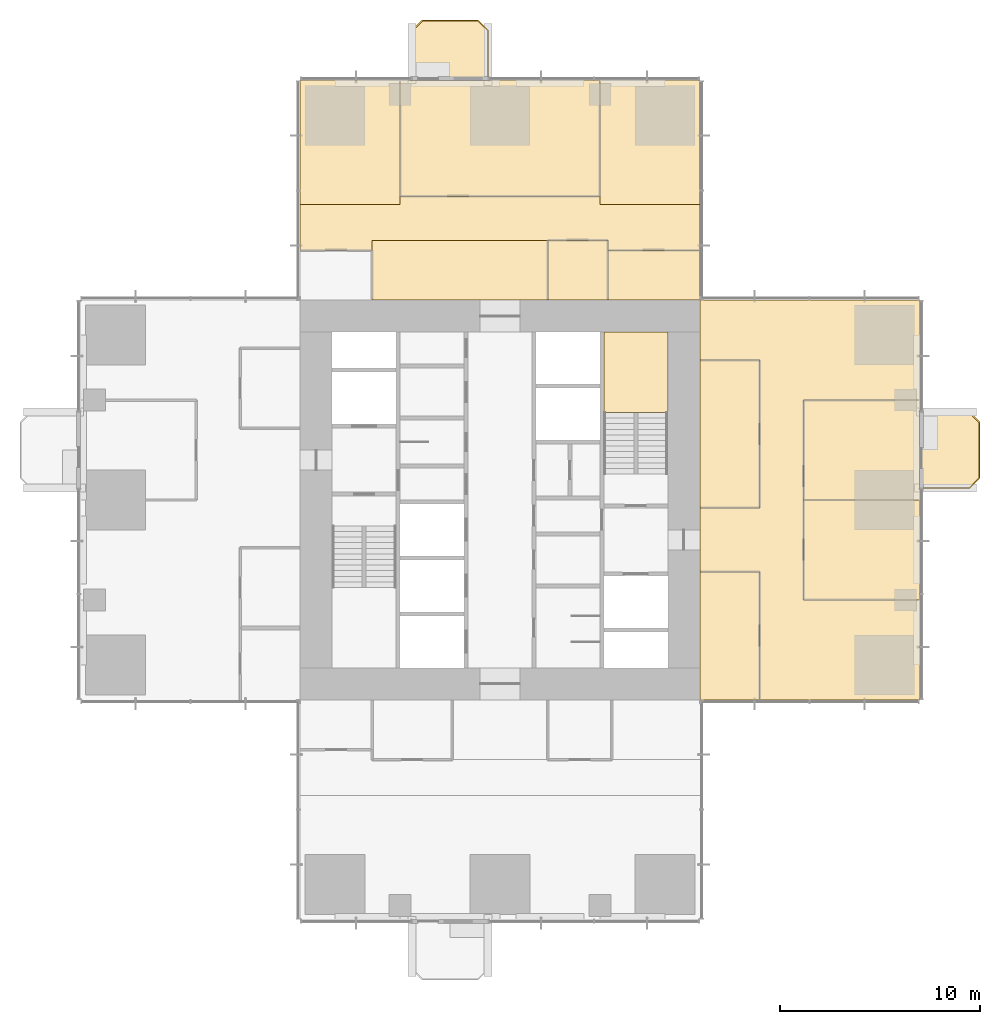
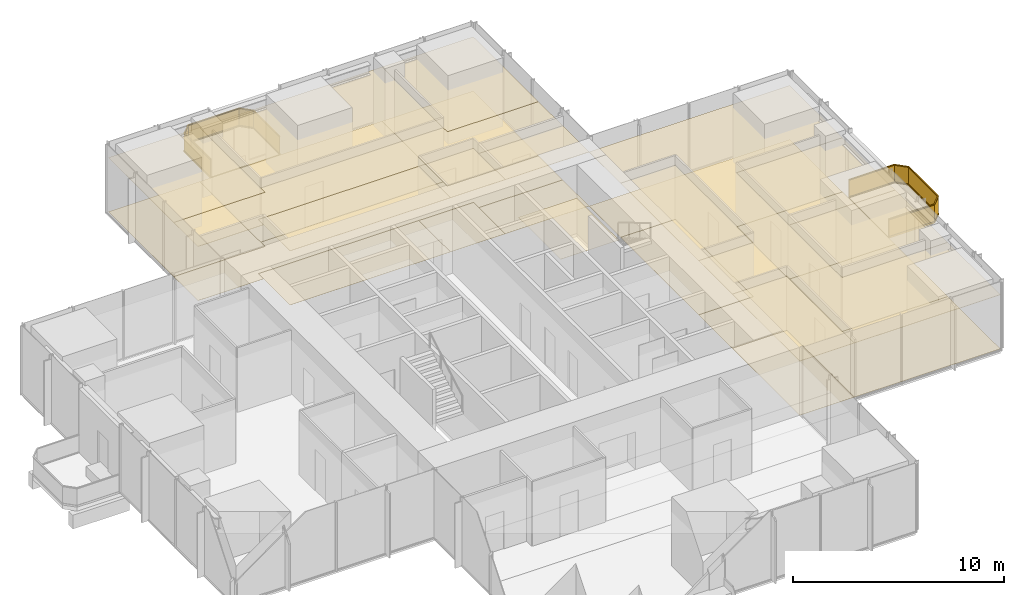
# One storey, part 12 of 13: 27 coverings, 2 railings.
"""IFC4 building model written with IfcOpenShell, lengths in metres."""

from ifc_helpers import new_model, si_unit, direction, frame, origin, origin_2d, place, context, subcontext, project, spatial, polyline, rectangle, outline, extrude, material, layer, layer_set, type_object, element, save


model = new_model("IFC4")

# Units and contexts
model_context = context("Model", 3, precision=1e-05, world=origin(), true_north=direction((0.0, 1.0)))
body_context = subcontext(model_context, "Body", "Model", "MODEL_VIEW")
ifc_project = project(units=[si_unit("LENGTHUNIT", "METRE"), si_unit("AREAUNIT", "SQUARE_METRE"), si_unit("VOLUMEUNIT", "CUBIC_METRE"), si_unit("PLANEANGLEUNIT", "RADIAN"), si_unit("MASSUNIT", "GRAM", prefix="KILO")], contexts=[model_context])

# Site, building, storey
site_placement = place(None, origin())
site = spatial("IfcSite", under=ifc_project, at=site_placement, CompositionType="ELEMENT")
building_placement = place(site_placement, origin())
building = spatial("IfcBuilding", under=site, at=building_placement, Name="Svetlomir Tower", CompositionType="ELEMENT")
storey_placement = place(building_placement, frame((0.0, 0.0, 140.5)))
storey = spatial("IfcBuildingStorey", under=building, at=storey_placement, Name="L33", CompositionType="ELEMENT", Elevation=140.5)

# Railings
ifc_material_1 = material(Name="Bronze anodised aluminium and laminated glass", Category="aluminium")
railing_type = type_object("IfcRailingType", Name="BALCONY GUARD GR1 1100", PredefinedType="GUARDRAIL", material=ifc_material_1)
railing_1_placement = place(storey_placement, frame((42.0, 21.60009765625, 0.0)))
element("IfcRailing", 1, at=railing_1_placement, inside=storey, type_object=railing_type, Name="Balcony guard E L33", PredefinedType="GUARDRAIL", context=body_context, shape_type="SweptSolid", body=[
    extrude(rectangle(XDim=0.06005859375, YDim=0.10009765625, at=origin_2d()), frame((0.0, 0.0, 0.050048828125), z_axis=(1.0, 0.0, 0.0), x_axis=(0.0, 1.0, 0.0)), (0.0, 0.0, 1.0), 2.5),
    extrude(rectangle(XDim=0.021484375, YDim=0.960205078125, at=origin_2d()), frame((0.0, 0.0, 0.580078125), z_axis=(1.0, 0.0, 0.0), x_axis=(0.0, 1.0, 0.0)), (0.0, 0.0, 1.0), 2.5),
    extrude(rectangle(XDim=0.06005859375, YDim=0.0400390625, at=origin_2d()), frame((0.0, 0.0, 1.080078125), z_axis=(1.0, 0.0, 0.0), x_axis=(0.0, 1.0, 0.0)), (0.0, 0.0, 1.0), 2.5),
    extrude(rectangle(XDim=0.06005859375, YDim=0.10009765625, at=origin_2d()), frame((2.5, 0.0, 0.050048828125), z_axis=(0.707106781187, 0.707106781187, 0.0), x_axis=(-0.707106781187, 0.707106781187, 0.0)), (0.0, 0.0, 1.0), 0.70703125),
    extrude(rectangle(XDim=0.021484375, YDim=0.960205078125, at=origin_2d()), frame((2.5, 0.0, 0.580078125), z_axis=(0.707106781187, 0.707106781187, 0.0), x_axis=(-0.707106781187, 0.707106781187, 0.0)), (0.0, 0.0, 1.0), 0.70703125),
    extrude(rectangle(XDim=0.06005859375, YDim=0.0400390625, at=origin_2d()), frame((2.5, 0.0, 1.080078125), z_axis=(0.707106781187, 0.707106781187, 0.0), x_axis=(-0.707106781187, 0.707106781187, 0.0)), (0.0, 0.0, 1.0), 0.70703125),
    extrude(rectangle(XDim=0.06005859375, YDim=0.10009765625, at=origin_2d()), frame((3.0, 0.5, 0.050048828125), z_axis=(0.0, 1.0, 0.0), x_axis=(-1.0, 0.0, 0.0)), (0.0, 0.0, 1.0), 2.7998046875),
    extrude(rectangle(XDim=0.021484375, YDim=0.960205078125, at=origin_2d()), frame((3.0, 0.5, 0.580078125), z_axis=(0.0, 1.0, 0.0), x_axis=(-1.0, 0.0, 0.0)), (0.0, 0.0, 1.0), 2.7998046875),
    extrude(rectangle(XDim=0.06005859375, YDim=0.0400390625, at=origin_2d()), frame((3.0, 0.5, 1.080078125), z_axis=(0.0, 1.0, 0.0), x_axis=(-1.0, 0.0, 0.0)), (0.0, 0.0, 1.0), 2.7998046875),
    extrude(rectangle(XDim=0.06005859375, YDim=0.10009765625, at=origin_2d()), frame((3.0, 3.2998046875, 0.050048828125), z_axis=(-0.707106781187, 0.707106781187, 0.0), x_axis=(-0.707106781187, -0.707106781187, 0.0)), (0.0, 0.0, 1.0), 0.70703125),
    extrude(rectangle(XDim=0.021484375, YDim=0.960205078125, at=origin_2d()), frame((3.0, 3.2998046875, 0.580078125), z_axis=(-0.707106781187, 0.707106781187, 0.0), x_axis=(-0.707106781187, -0.707106781187, 0.0)), (0.0, 0.0, 1.0), 0.70703125),
    extrude(rectangle(XDim=0.06005859375, YDim=0.0400390625, at=origin_2d()), frame((3.0, 3.2998046875, 1.080078125), z_axis=(-0.707106781187, 0.707106781187, 0.0), x_axis=(-0.707106781187, -0.707106781187, 0.0)), (0.0, 0.0, 1.0), 0.70703125),
    extrude(rectangle(XDim=0.06005859375, YDim=0.10009765625, at=origin_2d()), frame((2.5, 3.7998046875, 0.050048828125), z_axis=(-1.0, 0.0, 0.0), x_axis=(0.0, -1.0, 0.0)), (0.0, 0.0, 1.0), 2.5),
    extrude(rectangle(XDim=0.021484375, YDim=0.960205078125, at=origin_2d()), frame((2.5, 3.7998046875, 0.580078125), z_axis=(-1.0, 0.0, 0.0), x_axis=(0.0, -1.0, 0.0)), (0.0, 0.0, 1.0), 2.5),
    extrude(rectangle(XDim=0.06005859375, YDim=0.0400390625, at=origin_2d()), frame((2.5, 3.7998046875, 1.080078125), z_axis=(-1.0, 0.0, 0.0), x_axis=(0.0, -1.0, 0.0)), (0.0, 0.0, 1.0), 2.5),
])
railing_2_placement = place(storey_placement, frame((20.39990234375, 42.0, 0.0)))
element("IfcRailing", 2, at=railing_2_placement, inside=storey, type_object=railing_type, Name="Balcony guard N L33", PredefinedType="GUARDRAIL", context=body_context, shape_type="SweptSolid", body=[
    extrude(rectangle(XDim=0.06005859375, YDim=0.10009765625, at=origin_2d()), frame((0.0, 0.0, 0.050048828125), z_axis=(0.0, 1.0, 0.0), x_axis=(-1.0, 0.0, 0.0)), (0.0, 0.0, 1.0), 2.5),
    extrude(rectangle(XDim=0.021484375, YDim=0.960205078125, at=origin_2d()), frame((0.0, 0.0, 0.580078125), z_axis=(0.0, 1.0, 0.0), x_axis=(-1.0, 0.0, 0.0)), (0.0, 0.0, 1.0), 2.5),
    extrude(rectangle(XDim=0.06005859375, YDim=0.0400390625, at=origin_2d()), frame((0.0, 0.0, 1.080078125), z_axis=(0.0, 1.0, 0.0), x_axis=(-1.0, 0.0, 0.0)), (0.0, 0.0, 1.0), 2.5),
    extrude(rectangle(XDim=0.06005859375, YDim=0.10009765625, at=origin_2d()), frame((0.0, 2.5, 0.050048828125), z_axis=(-0.707106781187, 0.707106781187, 0.0), x_axis=(-0.707106781187, -0.707106781187, 0.0)), (0.0, 0.0, 1.0), 0.70703125),
    extrude(rectangle(XDim=0.021484375, YDim=0.960205078125, at=origin_2d()), frame((0.0, 2.5, 0.580078125), z_axis=(-0.707106781187, 0.707106781187, 0.0), x_axis=(-0.707106781187, -0.707106781187, 0.0)), (0.0, 0.0, 1.0), 0.70703125),
    extrude(rectangle(XDim=0.06005859375, YDim=0.0400390625, at=origin_2d()), frame((0.0, 2.5, 1.080078125), z_axis=(-0.707106781187, 0.707106781187, 0.0), x_axis=(-0.707106781187, -0.707106781187, 0.0)), (0.0, 0.0, 1.0), 0.70703125),
    extrude(rectangle(XDim=0.06005859375, YDim=0.10009765625, at=origin_2d()), frame((-0.5, 3.0, 0.050048828125), z_axis=(-1.0, 0.0, 0.0), x_axis=(0.0, -1.0, 0.0)), (0.0, 0.0, 1.0), 2.7998046875),
    extrude(rectangle(XDim=0.021484375, YDim=0.960205078125, at=origin_2d()), frame((-0.5, 3.0, 0.580078125), z_axis=(-1.0, 0.0, 0.0), x_axis=(0.0, -1.0, 0.0)), (0.0, 0.0, 1.0), 2.7998046875),
    extrude(rectangle(XDim=0.06005859375, YDim=0.0400390625, at=origin_2d()), frame((-0.5, 3.0, 1.080078125), z_axis=(-1.0, 0.0, 0.0), x_axis=(0.0, -1.0, 0.0)), (0.0, 0.0, 1.0), 2.7998046875),
    extrude(rectangle(XDim=0.06005859375, YDim=0.10009765625, at=origin_2d()), frame((-3.2998046875, 3.0, 0.050048828125), z_axis=(-0.707106781187, -0.707106781187, 0.0), x_axis=(0.707106781187, -0.707106781187, 0.0)), (0.0, 0.0, 1.0), 0.70703125),
    extrude(rectangle(XDim=0.021484375, YDim=0.960205078125, at=origin_2d()), frame((-3.2998046875, 3.0, 0.580078125), z_axis=(-0.707106781187, -0.707106781187, 0.0), x_axis=(0.707106781187, -0.707106781187, 0.0)), (0.0, 0.0, 1.0), 0.70703125),
    extrude(rectangle(XDim=0.06005859375, YDim=0.0400390625, at=origin_2d()), frame((-3.2998046875, 3.0, 1.080078125), z_axis=(-0.707106781187, -0.707106781187, 0.0), x_axis=(0.707106781187, -0.707106781187, 0.0)), (0.0, 0.0, 1.0), 0.70703125),
    extrude(rectangle(XDim=0.06005859375, YDim=0.10009765625, at=origin_2d()), frame((-3.7998046875, 2.5, 0.050048828125), z_axis=(0.0, -1.0, 0.0), x_axis=(1.0, 0.0, 0.0)), (0.0, 0.0, 1.0), 2.5),
    extrude(rectangle(XDim=0.021484375, YDim=0.960205078125, at=origin_2d()), frame((-3.7998046875, 2.5, 0.580078125), z_axis=(0.0, -1.0, 0.0), x_axis=(1.0, 0.0, 0.0)), (0.0, 0.0, 1.0), 2.5),
    extrude(rectangle(XDim=0.06005859375, YDim=0.0400390625, at=origin_2d()), frame((-3.7998046875, 2.5, 1.080078125), z_axis=(0.0, -1.0, 0.0), x_axis=(1.0, 0.0, 0.0)), (0.0, 0.0, 1.0), 2.5),
])

# Coverings
ifc_material_2 = material(Name="Granite paving slabs on pedestals", Category="masonry")
ifc_layer_1 = layer(ifc_material_2, 0.0400390625)
ifc_layer_set_1 = layer_set([ifc_layer_1], Name="Granite paving slabs on pedestals")
covering_type_1 = type_object("IfcCoveringType", Name="BALCONY PAVING 40", PredefinedType="USERDEFINED", material=ifc_layer_set_1)
covering_1_placement = place(storey_placement, origin())
element("IfcCovering", 3, at=covering_1_placement, inside=storey, type_object=covering_type_1, Name="Balcony paving E L33", ObjectType="BALCONY PAVING", PredefinedType="USERDEFINED", context=body_context, shape_type="SweptSolid", body=[
    extrude(outline(polyline([(42.0, 21.60009765625), (44.5, 21.60009765625), (45.0, 22.10009765625), (45.0, 24.89990234375), (44.5, 25.39990234375), (42.0, 25.39990234375), (42.0, 21.60009765625)])), origin(), (0.0, 0.0, 1.0), 0.0400390625),
])
covering_2_placement = place(storey_placement, origin())
element("IfcCovering", 4, at=covering_2_placement, inside=storey, type_object=covering_type_1, Name="Balcony paving N L33", ObjectType="BALCONY PAVING", PredefinedType="USERDEFINED", context=body_context, shape_type="SweptSolid", body=[
    extrude(outline(polyline([(16.60009765625, 42.0), (20.39990234375, 42.0), (20.39990234375, 44.5), (19.89990234375, 45.0), (17.10009765625, 45.0), (16.60009765625, 44.5), (16.60009765625, 42.0)])), origin(), (0.0, 0.0, 1.0), 0.0400390625),
])
ifc_material_3 = material(Name="Carpet tile", Category="textile")
ifc_layer_2 = layer(ifc_material_3, 0.010009765625)
ifc_layer_set_2 = layer_set([ifc_layer_2], Name="Carpet tile")
covering_type_2 = type_object("IfcCoveringType", Name="CARPET TILE FLOOR 10", PredefinedType="FLOORING", material=ifc_layer_set_2)
covering_3_placement = place(storey_placement, origin())
element("IfcCovering", 5, at=covering_3_placement, inside=storey, type_object=covering_type_2, Name="Floor finish L33-18", PredefinedType="FLOORING", context=body_context, shape_type="SweptSolid", body=[
    extrude(outline(polyline([(31.0, 11.0), (34.0, 11.0), (34.0, 17.39990234375), (31.0, 17.39990234375), (31.0, 11.0)])), origin(), (0.0, 0.0, 1.0), 0.010009765625),
])
covering_4_placement = place(storey_placement, origin())
element("IfcCovering", 6, at=covering_4_placement, inside=storey, type_object=covering_type_2, Name="Floor finish L33-19", PredefinedType="FLOORING", context=body_context, shape_type="SweptSolid", body=[
    extrude(outline(polyline([(31.0, 20.60009765625), (34.0, 20.60009765625), (34.0, 28.0), (31.0, 28.0), (31.0, 20.60009765625)])), origin(), (0.0, 0.0, 1.0), 0.010009765625),
])
covering_5_placement = place(storey_placement, origin())
element("IfcCovering", 7, at=covering_5_placement, inside=storey, type_object=covering_type_2, Name="Floor finish L33-20", PredefinedType="FLOORING", context=body_context, shape_type="SweptSolid", body=[
    extrude(outline(polyline([(36.199951171875, 16.0), (42.0, 16.0), (42.0, 21.0), (36.199951171875, 21.0), (36.199951171875, 16.0)])), origin(), (0.0, 0.0, 1.0), 0.010009765625),
])
covering_6_placement = place(storey_placement, origin())
element("IfcCovering", 8, at=covering_6_placement, inside=storey, type_object=covering_type_2, Name="Floor finish L33-21", PredefinedType="FLOORING", context=body_context, shape_type="SweptSolid", body=[
    extrude(outline(polyline([(36.199951171875, 21.0), (42.0, 21.0), (42.0, 26.0), (36.199951171875, 26.0), (36.199951171875, 21.0)])), origin(), (0.0, 0.0, 1.0), 0.010009765625),
])
covering_7_placement = place(storey_placement, origin())
element("IfcCovering", 9, at=covering_7_placement, inside=storey, type_object=covering_type_2, Name="Floor finish L33-23", PredefinedType="FLOORING", context=body_context, shape_type="SweptSolid", body=[
    extrude(outline(polyline([(23.39990234375, 31.0), (26.39990234375, 31.0), (26.39990234375, 34.0), (23.39990234375, 34.0), (23.39990234375, 31.0)])), origin(), (0.0, 0.0, 1.0), 0.010009765625),
])
covering_8_placement = place(storey_placement, origin())
element("IfcCovering", 10, at=covering_8_placement, inside=storey, type_object=covering_type_2, Name="Floor finish L33-24", PredefinedType="FLOORING", context=body_context, shape_type="SweptSolid", body=[
    extrude(outline(polyline([(26.39990234375, 31.0), (31.0, 31.0), (31.0, 33.5), (26.39990234375, 33.5), (26.39990234375, 31.0)])), origin(), (0.0, 0.0, 1.0), 0.010009765625),
])
covering_9_placement = place(storey_placement, origin())
element("IfcCovering", 11, at=covering_9_placement, inside=storey, type_object=covering_type_2, Name="Floor finish L33-25", PredefinedType="FLOORING", context=body_context, shape_type="SweptSolid", body=[
    extrude(outline(polyline([(16.0, 36.199951171875), (26.0, 36.199951171875), (26.0, 42.0), (16.0, 42.0), (16.0, 36.199951171875)])), origin(), (0.0, 0.0, 1.0), 0.010009765625),
])
covering_10_placement = place(storey_placement, origin())
element("IfcCovering", 12, at=covering_10_placement, inside=storey, type_object=covering_type_2, Name="Floor finish L33-31", PredefinedType="FLOORING", context=body_context, shape_type="SweptSolid", body=[
    extrude(outline(polyline([(14.60009765625, 33.5), (11.0, 33.5), (11.0, 35.800048828125), (16.0, 35.800048828125), (16.0, 36.199951171875), (26.0, 36.199951171875), (26.0, 35.800048828125), (31.0, 35.800048828125), (31.0, 33.5), (26.39990234375, 33.5), (26.39990234375, 34.0), (14.60009765625, 34.0), (14.60009765625, 33.5)])), origin(), (0.0, 0.0, 1.0), 0.010009765625),
])
covering_11_placement = place(storey_placement, origin())
element("IfcCovering", 13, at=covering_11_placement, inside=storey, type_object=covering_type_2, Name="Floor finish L33-35", PredefinedType="FLOORING", context=body_context, shape_type="SweptSolid", body=[
    extrude(outline(polyline([(34.0, 17.39990234375), (31.0, 17.39990234375), (31.0, 20.60009765625), (34.0, 20.60009765625), (34.0, 28.0), (31.0, 28.0), (31.0, 31.0), (42.0, 31.0), (42.0, 26.0), (36.199951171875, 26.0), (36.199951171875, 16.0), (42.0, 16.0), (42.0, 11.0), (34.0, 11.0), (34.0, 17.39990234375)])), origin(), (0.0, 0.0, 1.0), 0.010009765625),
])
covering_12_placement = place(storey_placement, origin())
element("IfcCovering", 14, at=covering_12_placement, inside=storey, type_object=covering_type_2, Name="Floor finish L33-36", PredefinedType="FLOORING", context=body_context, shape_type="SweptSolid", body=[
    extrude(outline(polyline([(26.0, 35.800048828125), (26.0, 42.0), (31.0, 42.0), (31.0, 35.800048828125), (26.0, 35.800048828125)])), origin(), (0.0, 0.0, 1.0), 0.010009765625),
])
covering_13_placement = place(storey_placement, origin())
element("IfcCovering", 15, at=covering_13_placement, inside=storey, type_object=covering_type_2, Name="Floor finish L33-37", PredefinedType="FLOORING", context=body_context, shape_type="SweptSolid", body=[
    extrude(outline(polyline([(14.60009765625, 31.0), (14.60009765625, 34.0), (23.39990234375, 34.0), (23.39990234375, 31.0), (14.60009765625, 31.0)])), origin(), (0.0, 0.0, 1.0), 0.010009765625),
])
covering_14_placement = place(storey_placement, origin())
element("IfcCovering", 16, at=covering_14_placement, inside=storey, type_object=covering_type_2, Name="Floor finish L33-38", PredefinedType="FLOORING", context=body_context, shape_type="SweptSolid", body=[
    extrude(outline(polyline([(16.0, 42.0), (16.0, 35.800048828125), (11.0, 35.800048828125), (11.0, 42.0), (16.0, 42.0)])), origin(), (0.0, 0.0, 1.0), 0.010009765625),
])
ifc_material_4 = material(Name="Studded rubber floor finish", Category="rubber")
ifc_layer_3 = layer(ifc_material_4, 0.006103515625)
ifc_layer_set_3 = layer_set([ifc_layer_3], Name="Studded rubber floor finish")
covering_type_3 = type_object("IfcCoveringType", Name="RUBBER LANDING FINISH 6", PredefinedType="FLOORING", material=ifc_layer_set_3)
covering_15_placement = place(storey_placement, frame((0.0, 0.0, 2.0)))
element("IfcCovering", 17, at=covering_15_placement, inside=storey, type_object=covering_type_3, Name="Stair S2 landing finish L33", PredefinedType="FLOORING", context=body_context, shape_type="SweptSolid", body=[
    extrude(outline(polyline([(26.199951171875, 25.3798828125), (29.39990234375, 25.3798828125), (29.39990234375, 29.39990234375), (26.199951171875, 29.39990234375), (26.199951171875, 25.3798828125)])), origin(), (0.0, 0.0, 1.0), 0.006103515625),
])
ifc_material_5 = material(Name="Mineral fibre ceiling tile", Category="mineral")
ifc_layer_4 = layer(ifc_material_5, 0.02001953125)
ifc_layer_set_4 = layer_set([ifc_layer_4], Name="Mineral fibre ceiling tile")
covering_type_4 = type_object("IfcCoveringType", Name="SUSPENDED CEILING 20", PredefinedType="CEILING", material=ifc_layer_set_4)
covering_16_placement = place(storey_placement, frame((0.0, 0.0, 3.1298828125)))
element("IfcCovering", 18, at=covering_16_placement, inside=storey, type_object=covering_type_4, Name="Ceiling L33-18", PredefinedType="CEILING", context=body_context, shape_type="SweptSolid", body=[
    extrude(outline(polyline([(31.0, 11.0), (34.0, 11.0), (34.0, 17.39990234375), (31.0, 17.39990234375), (31.0, 11.0)])), origin(), (0.0, 0.0, 1.0), 0.02001953125),
])
covering_17_placement = place(storey_placement, frame((0.0, 0.0, 3.1298828125)))
element("IfcCovering", 19, at=covering_17_placement, inside=storey, type_object=covering_type_4, Name="Ceiling L33-19", PredefinedType="CEILING", context=body_context, shape_type="SweptSolid", body=[
    extrude(outline(polyline([(31.0, 20.60009765625), (34.0, 20.60009765625), (34.0, 28.0), (31.0, 28.0), (31.0, 20.60009765625)])), origin(), (0.0, 0.0, 1.0), 0.02001953125),
])
covering_18_placement = place(storey_placement, frame((0.0, 0.0, 3.1298828125)))
element("IfcCovering", 20, at=covering_18_placement, inside=storey, type_object=covering_type_4, Name="Ceiling L33-20", PredefinedType="CEILING", context=body_context, shape_type="SweptSolid", body=[
    extrude(outline(polyline([(36.199951171875, 16.0), (42.0, 16.0), (42.0, 21.0), (36.199951171875, 21.0), (36.199951171875, 16.0)])), origin(), (0.0, 0.0, 1.0), 0.02001953125),
])
covering_19_placement = place(storey_placement, frame((0.0, 0.0, 3.1298828125)))
element("IfcCovering", 21, at=covering_19_placement, inside=storey, type_object=covering_type_4, Name="Ceiling L33-21", PredefinedType="CEILING", context=body_context, shape_type="SweptSolid", body=[
    extrude(outline(polyline([(36.199951171875, 21.0), (42.0, 21.0), (42.0, 26.0), (36.199951171875, 26.0), (36.199951171875, 21.0)])), origin(), (0.0, 0.0, 1.0), 0.02001953125),
])
covering_20_placement = place(storey_placement, frame((0.0, 0.0, 3.1298828125)))
element("IfcCovering", 22, at=covering_20_placement, inside=storey, type_object=covering_type_4, Name="Ceiling L33-23", PredefinedType="CEILING", context=body_context, shape_type="SweptSolid", body=[
    extrude(outline(polyline([(23.39990234375, 31.0), (26.39990234375, 31.0), (26.39990234375, 34.0), (23.39990234375, 34.0), (23.39990234375, 31.0)])), origin(), (0.0, 0.0, 1.0), 0.02001953125),
])
covering_21_placement = place(storey_placement, frame((0.0, 0.0, 3.1298828125)))
element("IfcCovering", 23, at=covering_21_placement, inside=storey, type_object=covering_type_4, Name="Ceiling L33-24", PredefinedType="CEILING", context=body_context, shape_type="SweptSolid", body=[
    extrude(outline(polyline([(26.39990234375, 31.0), (31.0, 31.0), (31.0, 33.5), (26.39990234375, 33.5), (26.39990234375, 31.0)])), origin(), (0.0, 0.0, 1.0), 0.02001953125),
])
covering_22_placement = place(storey_placement, frame((0.0, 0.0, 3.1298828125)))
element("IfcCovering", 24, at=covering_22_placement, inside=storey, type_object=covering_type_4, Name="Ceiling L33-25", PredefinedType="CEILING", context=body_context, shape_type="SweptSolid", body=[
    extrude(outline(polyline([(16.0, 36.199951171875), (26.0, 36.199951171875), (26.0, 42.0), (16.0, 42.0), (16.0, 36.199951171875)])), origin(), (0.0, 0.0, 1.0), 0.02001953125),
])
covering_23_placement = place(storey_placement, frame((0.0, 0.0, 3.1298828125)))
element("IfcCovering", 25, at=covering_23_placement, inside=storey, type_object=covering_type_4, Name="Ceiling L33-31", PredefinedType="CEILING", context=body_context, shape_type="SweptSolid", body=[
    extrude(outline(polyline([(14.60009765625, 33.5), (11.0, 33.5), (11.0, 35.800048828125), (16.0, 35.800048828125), (16.0, 36.199951171875), (26.0, 36.199951171875), (26.0, 35.800048828125), (31.0, 35.800048828125), (31.0, 33.5), (26.39990234375, 33.5), (26.39990234375, 34.0), (14.60009765625, 34.0), (14.60009765625, 33.5)])), origin(), (0.0, 0.0, 1.0), 0.02001953125),
])
covering_24_placement = place(storey_placement, frame((0.0, 0.0, 3.1298828125)))
element("IfcCovering", 26, at=covering_24_placement, inside=storey, type_object=covering_type_4, Name="Ceiling L33-35", PredefinedType="CEILING", context=body_context, shape_type="SweptSolid", body=[
    extrude(outline(polyline([(34.0, 17.39990234375), (31.0, 17.39990234375), (31.0, 20.60009765625), (34.0, 20.60009765625), (34.0, 28.0), (31.0, 28.0), (31.0, 31.0), (42.0, 31.0), (42.0, 26.0), (36.199951171875, 26.0), (36.199951171875, 16.0), (42.0, 16.0), (42.0, 11.0), (34.0, 11.0), (34.0, 17.39990234375)])), origin(), (0.0, 0.0, 1.0), 0.02001953125),
])
covering_25_placement = place(storey_placement, frame((0.0, 0.0, 3.1298828125)))
element("IfcCovering", 27, at=covering_25_placement, inside=storey, type_object=covering_type_4, Name="Ceiling L33-36", PredefinedType="CEILING", context=body_context, shape_type="SweptSolid", body=[
    extrude(outline(polyline([(26.0, 35.800048828125), (26.0, 42.0), (31.0, 42.0), (31.0, 35.800048828125), (26.0, 35.800048828125)])), origin(), (0.0, 0.0, 1.0), 0.02001953125),
])
covering_26_placement = place(storey_placement, frame((0.0, 0.0, 3.1298828125)))
element("IfcCovering", 28, at=covering_26_placement, inside=storey, type_object=covering_type_4, Name="Ceiling L33-37", PredefinedType="CEILING", context=body_context, shape_type="SweptSolid", body=[
    extrude(outline(polyline([(14.60009765625, 31.0), (14.60009765625, 34.0), (23.39990234375, 34.0), (23.39990234375, 31.0), (14.60009765625, 31.0)])), origin(), (0.0, 0.0, 1.0), 0.02001953125),
])
covering_27_placement = place(storey_placement, frame((0.0, 0.0, 3.1298828125)))
element("IfcCovering", 29, at=covering_27_placement, inside=storey, type_object=covering_type_4, Name="Ceiling L33-38", PredefinedType="CEILING", context=body_context, shape_type="SweptSolid", body=[
    extrude(outline(polyline([(16.0, 42.0), (16.0, 35.800048828125), (11.0, 35.800048828125), (11.0, 42.0), (16.0, 42.0)])), origin(), (0.0, 0.0, 1.0), 0.02001953125),
])

save(model, "model.ifc")
